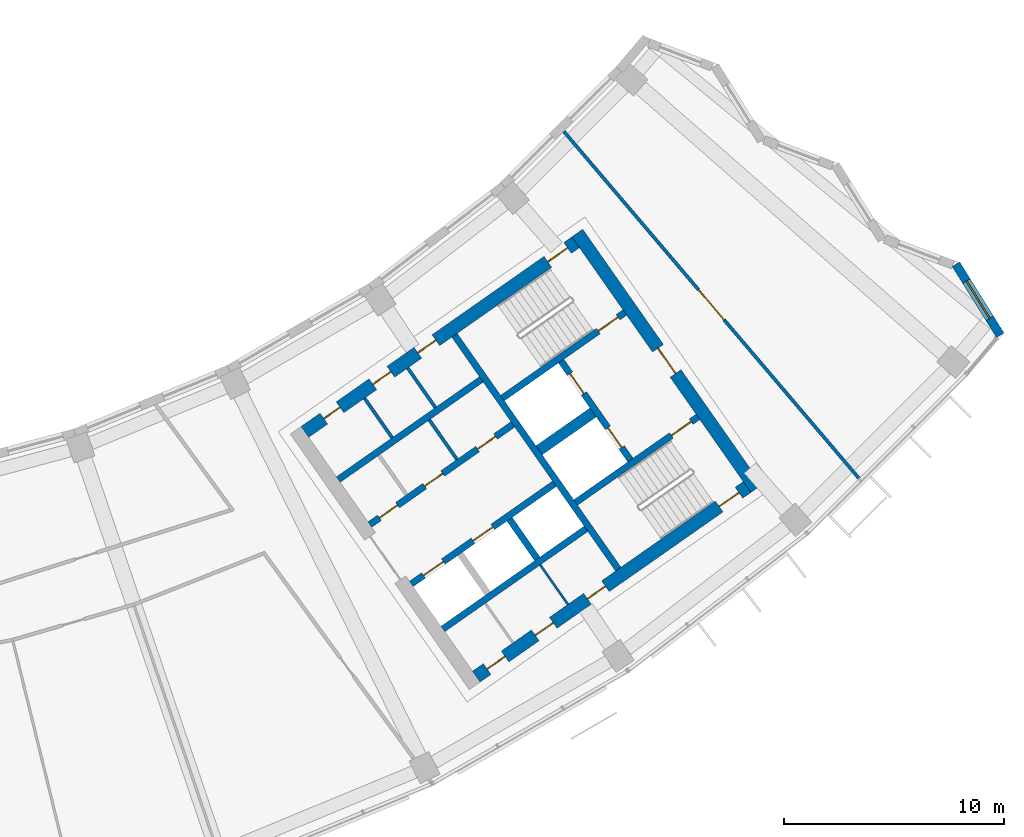
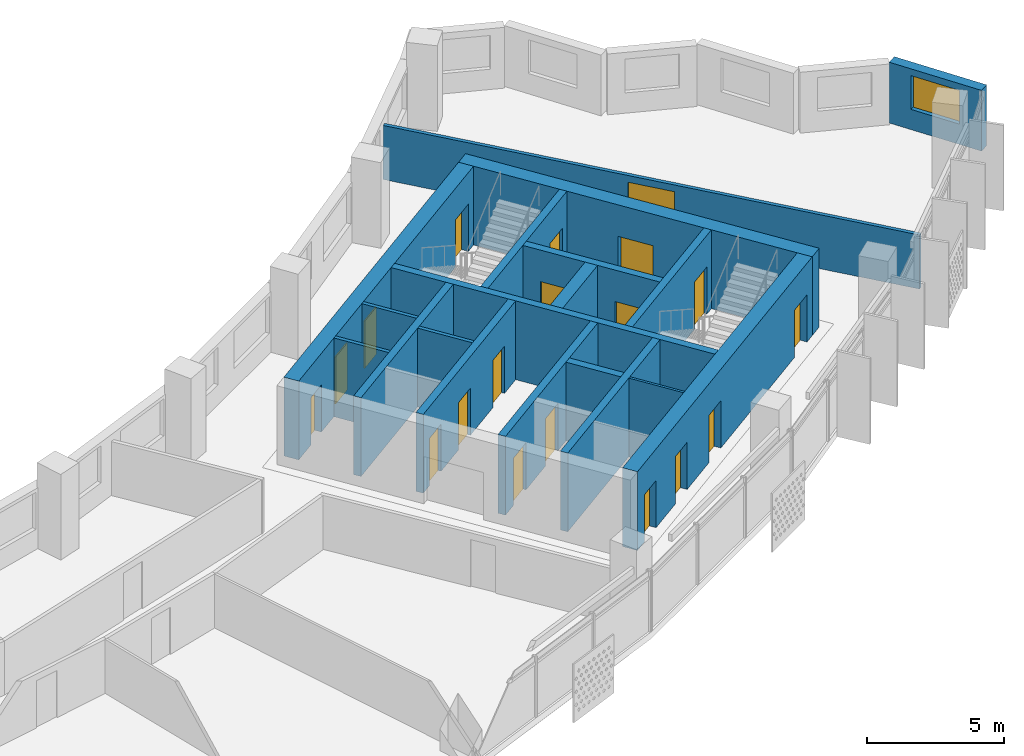
# One storey, part 7 of 27: 19 doors, 19 walls, 1 window, 20 openings.
"""IFC4 building model written with IfcOpenShell, lengths in metres."""

from ifc_helpers import new_model, si_unit, direction, frame, frame_2d, origin, place, context, subcontext, project, spatial, rectangle, extrude, material, layer, layer_set, type_object, element, fill, save


model = new_model("IFC4")

# Units and contexts
model_context = context("Model", 3, precision=1e-05, world=origin(), true_north=direction((0.0, 1.0)))
body_context = subcontext(model_context, "Body", "Model", "MODEL_VIEW")
ifc_project = project(units=[si_unit("LENGTHUNIT", "METRE"), si_unit("AREAUNIT", "SQUARE_METRE"), si_unit("VOLUMEUNIT", "CUBIC_METRE"), si_unit("PLANEANGLEUNIT", "RADIAN"), si_unit("MASSUNIT", "GRAM", prefix="KILO")], contexts=[model_context])

# Site, building, storey
site_placement = place(None, origin())
site = spatial("IfcSite", under=ifc_project, at=site_placement, CompositionType="ELEMENT")
building_placement = place(site_placement, origin())
building = spatial("IfcBuilding", under=site, at=building_placement, Name="Qamariyya Broadcast Tower", CompositionType="ELEMENT")
storey_placement = place(building_placement, frame((0.0, 0.0, 222.699951171875)))
storey = spatial("IfcBuildingStorey", under=building, at=storey_placement, Name="L53", CompositionType="ELEMENT", Elevation=222.699951171875)

# Wall, opening, door
ifc_material_1 = material(Name="Concrete C60/75", Category="concrete")
ifc_layer_1 = layer(ifc_material_1, 0.60009765625)
ifc_layer_set_1 = layer_set([ifc_layer_1], Name="Core wall 600 mm Concrete C60/75")
wall_type_1 = type_object("IfcWallType", Name="Core wall 600 mm Concrete C60/75", PredefinedType="SHEAR", material=ifc_layer_set_1)
wall_1_placement = place(storey_placement, frame((49.4833984375, -57.031494140625, 0.0), z_axis=(0.0, 0.0, 1.0), x_axis=(-0.573560421458, 0.819163257805, 0.0)))
wall_1 = element("IfcWall", 1, at=wall_1_placement, inside=storey, type_object=wall_type_1, Name="k-E-L53-WH", PredefinedType="SHEAR", context=body_context, shape_type="SweptSolid", body=[
    extrude(rectangle(XDim=14.199951171875, YDim=0.60009765625, at=frame_2d((7.10009765625, 0.0))), origin(), (0.0, 0.0, 1.0), 3.5),
])
opening_1_placement = place(wall_1_placement, frame((6.39990234375, 0.0, 0.0)))
opening_1 = element("IfcOpeningElement", 2, at=opening_1_placement, cuts=wall_1, Name="Opening KD2-E1", PredefinedType="OPENING", context=body_context, shape_type="SweptSolid", body=[
    extrude(rectangle(XDim=1.39990234375, YDim=2.10009765625, at=frame_2d((0.699951171875, 1.050048828125))), frame((0.0, 0.31005859375, 0.0), z_axis=(0.0, -1.0, 0.0), x_axis=(1.0, 0.0, 0.0)), (0.0, 0.0, 1.0), 0.6201171875),
])
ifc_material_2 = material(Name="Steel fire-resisting door leaf", Category="steel")
door_type_1 = type_object("IfcDoorType", Name="Fire-fighting lobby door KD2", OperationType="DOUBLE_DOOR_SINGLE_SWING", PredefinedType="DOOR", material=ifc_material_2)
door_1_placement = place(opening_1_placement, origin())
door_1 = element("IfcDoor", 3, at=door_1_placement, inside=storey, type_object=door_type_1, Name="k-E-L53-WH-D15", OperationType="DOUBLE_DOOR_SINGLE_SWING", OverallHeight=2.10009765625, OverallWidth=1.39990234375, PredefinedType="DOOR", context=body_context, shape_type="SweptSolid", body=[
    extrude(rectangle(XDim=1.39990234375, YDim=2.10009765625, at=frame_2d((0.699951171875, 1.050048828125))), frame((0.0, 0.02490234375, 0.0), z_axis=(0.0, -1.0, 0.0), x_axis=(1.0, 0.0, 0.0)), (0.0, 0.0, 1.0), 0.050048828125),
])
fill(opening_1, door_1)

# Wall, openings, doors
wall_2_placement = place(storey_placement, frame((28.940673828125, -54.447021484375, 0.0), z_axis=(0.0, 0.0, 1.0), x_axis=(0.819153391756, 0.573574511963, 0.0)))
wall_2 = element("IfcWall", 4, at=wall_2_placement, inside=storey, type_object=wall_type_1, Name="k-E-L53-WI", PredefinedType="SHEAR", context=body_context, shape_type="SweptSolid", body=[
    extrude(rectangle(XDim=15.04541015625, YDim=0.60009765625, at=frame_2d((7.522705078125, 0.0))), origin(), (0.0, 0.0, 1.0), 3.5),
])
opening_2_placement = place(wall_2_placement, frame((1.050048828125, 0.0, 0.0)))
opening_2 = element("IfcOpeningElement", 5, at=opening_2_placement, cuts=wall_2, Name="Opening KD5-E1", PredefinedType="OPENING", context=body_context, shape_type="SweptSolid", body=[
    extrude(rectangle(XDim=0.89990234375, YDim=2.10009765625, at=frame_2d((0.449951171875, 1.050048828125))), frame((0.0, 0.31005859375, 0.0), z_axis=(0.0, -1.0, 0.0), x_axis=(1.0, 0.0, 0.0)), (0.0, 0.0, 1.0), 0.6201171875),
])
opening_3_placement = place(wall_2_placement, frame((3.77490234375, 0.0, 0.0)))
opening_3 = element("IfcOpeningElement", 6, at=opening_3_placement, cuts=wall_2, Name="Opening KD7-E1", PredefinedType="OPENING", context=body_context, shape_type="SweptSolid", body=[
    extrude(rectangle(XDim=1.0, YDim=2.10009765625, at=frame_2d((0.5, 1.050048828125))), frame((0.0, 0.31005859375, 0.0), z_axis=(0.0, -1.0, 0.0), x_axis=(1.0, 0.0, 0.0)), (0.0, 0.0, 1.0), 0.6201171875),
])
opening_4_placement = place(wall_2_placement, frame((6.27490234375, 0.0, 0.0)))
opening_4 = element("IfcOpeningElement", 7, at=opening_4_placement, cuts=wall_2, Name="Opening KD6-E3", PredefinedType="OPENING", context=body_context, shape_type="SweptSolid", body=[
    extrude(rectangle(XDim=1.0, YDim=2.10009765625, at=frame_2d((0.5, 1.050048828125))), frame((0.0, 0.31005859375, 0.0), z_axis=(0.0, -1.0, 0.0), x_axis=(1.0, 0.0, 0.0)), (0.0, 0.0, 1.0), 0.6201171875),
])
opening_5_placement = place(wall_2_placement, frame((13.495361328125, 0.0, 0.0)))
opening_5 = element("IfcOpeningElement", 8, at=opening_5_placement, cuts=wall_2, Name="Opening KD1-E1", PredefinedType="OPENING", context=body_context, shape_type="SweptSolid", body=[
    extrude(rectangle(XDim=1.10009765625, YDim=2.10009765625, at=frame_2d((0.550048828125, 1.050048828125))), frame((0.0, 0.31005859375, 0.0), z_axis=(0.0, -1.0, 0.0), x_axis=(1.0, 0.0, 0.0)), (0.0, 0.0, 1.0), 0.6201171875),
])
door_type_2 = type_object("IfcDoorType", Name="Accessible toilet door KD7", OperationType="SINGLE_SWING_LEFT", PredefinedType="DOOR", material=ifc_material_2)
door_2_placement = place(opening_3_placement, origin())
door_2 = element("IfcDoor", 9, at=door_2_placement, inside=storey, type_object=door_type_2, Name="k-E-L53-WI-D8", OperationType="SINGLE_SWING_RIGHT", OverallHeight=2.10009765625, OverallWidth=1.0, PredefinedType="DOOR", context=body_context, shape_type="SweptSolid", body=[
    extrude(rectangle(XDim=1.0, YDim=2.10009765625, at=frame_2d((0.5, 1.050048828125))), frame((0.0, 0.02490234375, 0.0), z_axis=(0.0, -1.0, 0.0), x_axis=(1.0, 0.0, 0.0)), (0.0, 0.0, 1.0), 0.050048828125),
])
fill(opening_3, door_2)
door_type_3 = type_object("IfcDoorType", Name="Core room door KD6", OperationType="SINGLE_SWING_LEFT", PredefinedType="DOOR", material=ifc_material_2)
door_3_placement = place(opening_4_placement, origin())
door_3 = element("IfcDoor", 10, at=door_3_placement, inside=storey, type_object=door_type_3, Name="k-E-L53-WI-D9", OperationType="SINGLE_SWING_LEFT", OverallHeight=2.10009765625, OverallWidth=1.0, PredefinedType="DOOR", context=body_context, shape_type="SweptSolid", body=[
    extrude(rectangle(XDim=1.0, YDim=2.10009765625, at=frame_2d((0.5, 1.050048828125))), frame((0.0, 0.02490234375, 0.0), z_axis=(0.0, -1.0, 0.0), x_axis=(1.0, 0.0, 0.0)), (0.0, 0.0, 1.0), 0.050048828125),
])
fill(opening_4, door_3)
door_type_4 = type_object("IfcDoorType", Name="Stair door KD1", OperationType="SINGLE_SWING_LEFT", PredefinedType="DOOR", material=ifc_material_2)
door_4_placement = place(opening_5_placement, origin())
door_4 = element("IfcDoor", 11, at=door_4_placement, inside=storey, type_object=door_type_4, Name="k-E-L53-WI-D16", OperationType="SINGLE_SWING_RIGHT", OverallHeight=2.10009765625, OverallWidth=1.10009765625, PredefinedType="DOOR", context=body_context, shape_type="SweptSolid", body=[
    extrude(rectangle(XDim=1.10009765625, YDim=2.10009765625, at=frame_2d((0.550048828125, 1.050048828125))), frame((0.0, 0.02490234375, 0.0), z_axis=(0.0, -1.0, 0.0), x_axis=(1.0, 0.0, 0.0)), (0.0, 0.0, 1.0), 0.050048828125),
])
fill(opening_5, door_4)
door_type_5 = type_object("IfcDoorType", Name="Toilet door KD5", OperationType="SINGLE_SWING_LEFT", PredefinedType="DOOR", material=ifc_material_2)
door_5_placement = place(opening_2_placement, origin())
door_5 = element("IfcDoor", 12, at=door_5_placement, inside=storey, type_object=door_type_5, Name="k-E-L53-WI-D7", OperationType="SINGLE_SWING_LEFT", OverallHeight=2.10009765625, OverallWidth=0.89990234375, PredefinedType="DOOR", context=body_context, shape_type="SweptSolid", body=[
    extrude(rectangle(XDim=0.89990234375, YDim=2.10009765625, at=frame_2d((0.449951171875, 1.050048828125))), frame((0.0, 0.02490234375, 0.0), z_axis=(0.0, -1.0, 0.0), x_axis=(1.0, 0.0, 0.0)), (0.0, 0.0, 1.0), 0.050048828125),
])
fill(opening_2, door_5)

wall_3_placement = place(storey_placement, frame((36.7412109375, -65.58740234375, 0.0), z_axis=(0.0, 0.0, 1.0), x_axis=(0.819153391756, 0.573574511963, 0.0)))
wall_3 = element("IfcWall", 13, at=wall_3_placement, inside=storey, type_object=wall_type_1, Name="k-E-L53-WO", PredefinedType="SHEAR", context=body_context, shape_type="SweptSolid", body=[
    extrude(rectangle(XDim=15.04541015625, YDim=0.60009765625, at=frame_2d((7.522705078125, 0.0))), origin(), (0.0, 0.0, 1.0), 3.5),
])
opening_6_placement = place(wall_3_placement, frame((0.60009765625, 0.0, 0.0)))
opening_6 = element("IfcOpeningElement", 14, at=opening_6_placement, cuts=wall_3, Name="Opening KD4-E2", PredefinedType="OPENING", context=body_context, shape_type="SweptSolid", body=[
    extrude(rectangle(XDim=1.0, YDim=2.10009765625, at=frame_2d((0.5, 1.050048828125))), frame((0.0, 0.31005859375, 0.0), z_axis=(0.0, -1.0, 0.0), x_axis=(1.0, 0.0, 0.0)), (0.0, 0.0, 1.0), 0.6201171875),
])
opening_7_placement = place(wall_3_placement, frame((3.27490234375, 0.0, 0.0)))
opening_7 = element("IfcOpeningElement", 15, at=opening_7_placement, cuts=wall_3, Name="Opening KD4-E3", PredefinedType="OPENING", context=body_context, shape_type="SweptSolid", body=[
    extrude(rectangle(XDim=1.0, YDim=2.10009765625, at=frame_2d((0.5, 1.050048828125))), frame((0.0, 0.31005859375, 0.0), z_axis=(0.0, -1.0, 0.0), x_axis=(1.0, 0.0, 0.0)), (0.0, 0.0, 1.0), 0.6201171875),
])
opening_8_placement = place(wall_3_placement, frame((6.175048828125, 0.0, 0.0)))
opening_8 = element("IfcOpeningElement", 16, at=opening_8_placement, cuts=wall_3, Name="Opening KD4-E4", PredefinedType="OPENING", context=body_context, shape_type="SweptSolid", body=[
    extrude(rectangle(XDim=1.0, YDim=2.10009765625, at=frame_2d((0.5, 1.050048828125))), frame((0.0, 0.31005859375, 0.0), z_axis=(0.0, -1.0, 0.0), x_axis=(1.0, 0.0, 0.0)), (0.0, 0.0, 1.0), 0.6201171875),
])
opening_9_placement = place(wall_3_placement, frame((13.495361328125, 0.0, 0.0)))
opening_9 = element("IfcOpeningElement", 17, at=opening_9_placement, cuts=wall_3, Name="Opening KD1-E3", PredefinedType="OPENING", context=body_context, shape_type="SweptSolid", body=[
    extrude(rectangle(XDim=1.10009765625, YDim=2.10009765625, at=frame_2d((0.550048828125, 1.050048828125))), frame((0.0, 0.31005859375, 0.0), z_axis=(0.0, -1.0, 0.0), x_axis=(1.0, 0.0, 0.0)), (0.0, 0.0, 1.0), 0.6201171875),
])
door_type_6 = type_object("IfcDoorType", Name="Riser and plant door KD4", OperationType="SINGLE_SWING_LEFT", PredefinedType="DOOR", material=ifc_material_2)
door_6_placement = place(opening_6_placement, origin())
door_6 = element("IfcDoor", 18, at=door_6_placement, inside=storey, type_object=door_type_6, Name="k-E-L53-WO-D10", OperationType="SINGLE_SWING_RIGHT", OverallHeight=2.10009765625, OverallWidth=1.0, PredefinedType="DOOR", context=body_context, shape_type="SweptSolid", body=[
    extrude(rectangle(XDim=1.0, YDim=2.10009765625, at=frame_2d((0.5, 1.050048828125))), frame((0.0, 0.02490234375, 0.0), z_axis=(0.0, -1.0, 0.0), x_axis=(1.0, 0.0, 0.0)), (0.0, 0.0, 1.0), 0.050048828125),
])
fill(opening_6, door_6)
door_7_placement = place(opening_7_placement, origin())
door_7 = element("IfcDoor", 19, at=door_7_placement, inside=storey, type_object=door_type_6, Name="k-E-L53-WO-D11", OperationType="SINGLE_SWING_LEFT", OverallHeight=2.10009765625, OverallWidth=1.0, PredefinedType="DOOR", context=body_context, shape_type="SweptSolid", body=[
    extrude(rectangle(XDim=1.0, YDim=2.10009765625, at=frame_2d((0.5, 1.050048828125))), frame((0.0, 0.02490234375, 0.0), z_axis=(0.0, -1.0, 0.0), x_axis=(1.0, 0.0, 0.0)), (0.0, 0.0, 1.0), 0.050048828125),
])
fill(opening_7, door_7)
door_8_placement = place(opening_8_placement, origin())
door_8 = element("IfcDoor", 20, at=door_8_placement, inside=storey, type_object=door_type_6, Name="k-E-L53-WO-D12", OperationType="SINGLE_SWING_RIGHT", OverallHeight=2.10009765625, OverallWidth=1.0, PredefinedType="DOOR", context=body_context, shape_type="SweptSolid", body=[
    extrude(rectangle(XDim=1.0, YDim=2.10009765625, at=frame_2d((0.5, 1.050048828125))), frame((0.0, 0.02490234375, 0.0), z_axis=(0.0, -1.0, 0.0), x_axis=(1.0, 0.0, 0.0)), (0.0, 0.0, 1.0), 0.050048828125),
])
fill(opening_8, door_8)
door_9_placement = place(opening_9_placement, origin())
door_9 = element("IfcDoor", 21, at=door_9_placement, inside=storey, type_object=door_type_4, Name="k-E-L53-WO-D18", OperationType="SINGLE_SWING_LEFT", OverallHeight=2.10009765625, OverallWidth=1.10009765625, PredefinedType="DOOR", context=body_context, shape_type="SweptSolid", body=[
    extrude(rectangle(XDim=1.10009765625, YDim=2.10009765625, at=frame_2d((0.550048828125, 1.050048828125))), frame((0.0, 0.02490234375, 0.0), z_axis=(0.0, -1.0, 0.0), x_axis=(1.0, 0.0, 0.0)), (0.0, 0.0, 1.0), 0.050048828125),
])
fill(opening_9, door_9)

# Wall, opening, door
ifc_material_3 = material(Name="Gypsum board partition")
ifc_layer_2 = layer(ifc_material_3, 0.14990234375)
ifc_layer_set_2 = layer_set([ifc_layer_2], Name="Corridor partition 150 EI 60")
wall_type_2 = type_object("IfcWallType", Name="Corridor partition 150 EI 60", PredefinedType="PARTITIONING", material=ifc_layer_set_2)
wall_4_placement = place(storey_placement, frame((40.724853515625, -40.7705078125, 0.0), z_axis=(0.0, 0.0, 1.0), x_axis=(0.647962636986, -0.761672121762, 0.0)))
wall_4 = element("IfcWall", 22, at=wall_4_placement, inside=storey, type_object=wall_type_2, Name="Partition L53-032", PredefinedType="PARTITIONING", context=body_context, shape_type="SweptSolid", body=[
    extrude(rectangle(XDim=20.723388671875, YDim=0.14990234375, at=frame_2d((10.36181640625, 0.0))), origin(), (0.0, 0.0, 1.0), 2.400146484375),
])
opening_10_placement = place(wall_4_placement, frame((9.461669921875, 0.0, 0.0)))
opening_10 = element("IfcOpeningElement", 23, at=opening_10_placement, cuts=wall_4, Name="Opening L53-D16", PredefinedType="OPENING", context=body_context, shape_type="SweptSolid", body=[
    extrude(rectangle(XDim=1.800048828125, YDim=2.10009765625, at=frame_2d((0.89990234375, 1.050048828125))), frame((0.0, 0.0849609375, 0.0), z_axis=(0.0, -1.0, 0.0), x_axis=(1.0, 0.0, 0.0)), (0.0, 0.0, 1.0), 0.169921875),
])
ifc_material_4 = material(Name="Timber fire door leaf", Category="wood")
door_type_7 = type_object("IfcDoorType", Name="Double fire door 1800 x 2100 FD60", OperationType="NOTDEFINED", PredefinedType="DOOR", material=ifc_material_4)
door_10_placement = place(opening_10_placement, origin())
door_10 = element("IfcDoor", 24, at=door_10_placement, inside=storey, type_object=door_type_7, Name="Door L53-D16", OperationType="DOUBLE_DOOR_SINGLE_SWING", OverallHeight=2.10009765625, OverallWidth=1.800048828125, PredefinedType="DOOR", context=body_context, shape_type="SweptSolid", body=[
    extrude(rectangle(XDim=1.800048828125, YDim=2.10009765625, at=frame_2d((0.89990234375, 1.050048828125))), frame((0.0, 0.02490234375, 0.0), z_axis=(0.0, -1.0, 0.0), x_axis=(1.0, 0.0, 0.0)), (0.0, 0.0, 1.0), 0.050048828125),
])
fill(opening_10, door_10)

# Walls
ifc_layer_3 = layer(ifc_material_1, 0.5)
ifc_layer_set_3 = layer_set([ifc_layer_3], Name="Fire-fighting lobby divider wall 500 mm Concrete C60/75")
wall_type_3 = type_object("IfcWallType", Name="Fire-fighting lobby divider wall 500 mm Concrete C60/75", PredefinedType="SOLIDWALL", material=ifc_layer_set_3)
wall_5_placement = place(storey_placement, frame((39.59912109375, -55.28515625, 0.0), z_axis=(0.0, 0.0, 1.0), x_axis=(0.819136323161, 0.573598887793, 0.0)))
element("IfcWall", 25, at=wall_5_placement, inside=storey, type_object=wall_type_3, Name="k-E-L53-FD", PredefinedType="SOLIDWALL", context=body_context, shape_type="SweptSolid", body=[
    extrude(rectangle(XDim=2.999755859375, YDim=0.5, at=frame_2d((1.5, 0.0))), origin(), (0.0, 0.0, 1.0), 3.5),
])
ifc_material_5 = material(Name="Gypsum board partition on steel studs", Category="steel")
ifc_layer_4 = layer(ifc_material_5, 0.14990234375)
ifc_layer_set_4 = layer_set([ifc_layer_4], Name="Gypsum board partition 150 mm")
wall_type_4 = type_object("IfcWallType", Name="Gypsum board partition 150 mm", PredefinedType="PARTITIONING", material=ifc_layer_set_4)
wall_6_placement = place(storey_placement, frame((35.86328125, -55.70361328125, 0.0), z_axis=(0.0, 0.0, 1.0), x_axis=(-0.573507030513, 0.819200638399, 0.0)))
element("IfcWall", 26, at=wall_6_placement, inside=storey, type_object=wall_type_4, Name="k-E-L53-NC495", PredefinedType="PARTITIONING", context=body_context, shape_type="SweptSolid", body=[
    extrude(rectangle(XDim=2.199951171875, YDim=0.14990234375, at=frame_2d((1.10009765625, 0.0))), origin(), (0.0, 0.0, 1.0), 3.5),
])
wall_7_placement = place(storey_placement, frame((32.9140625, -54.716796875, 0.0), z_axis=(0.0, 0.0, 1.0), x_axis=(-0.573581496053, 0.819148501424, 0.0)))
element("IfcWall", 27, at=wall_7_placement, inside=storey, type_object=wall_type_4, Name="k-E-L53-NP310", PredefinedType="PARTITIONING", context=body_context, shape_type="SweptSolid", body=[
    extrude(rectangle(XDim=2.2001953125, YDim=0.14990234375, at=frame_2d((1.10009765625, 0.0))), origin(), (0.0, 0.0, 1.0), 3.5),
])
wall_8_placement = place(storey_placement, frame((34.8798828125, -53.340087890625, 0.0), z_axis=(0.0, 0.0, 1.0), x_axis=(-0.573559170999, 0.819164133348, 0.0)))
element("IfcWall", 28, at=wall_8_placement, inside=storey, type_object=wall_type_4, Name="k-E-L53-NP550", PredefinedType="PARTITIONING", context=body_context, shape_type="SweptSolid", body=[
    extrude(rectangle(XDim=2.19970703125, YDim=0.14990234375, at=frame_2d((1.099853515625, 0.0))), origin(), (0.0, 0.0, 1.0), 3.5),
])
ifc_layer_5 = layer(ifc_material_1, 0.300048828125)
ifc_layer_set_5 = layer_set([ifc_layer_5], Name="Lift shaft wall 300 mm Concrete C60/75")
wall_type_5 = type_object("IfcWallType", Name="Lift shaft wall 300 mm Concrete C60/75", PredefinedType="SOLIDWALL", material=ifc_layer_set_5)
wall_9_placement = place(storey_placement, frame((43.204345703125, -60.69580078125, 0.0), z_axis=(0.0, 0.0, 1.0), x_axis=(-0.573571992966, 0.819155155563, 0.0)))
element("IfcWall", 29, at=wall_9_placement, inside=storey, type_object=wall_type_5, Name="k-E-L53-WL", PredefinedType="SOLIDWALL", context=body_context, shape_type="SweptSolid", body=[
    extrude(rectangle(XDim=13.000244140625, YDim=0.300048828125, at=frame_2d((6.5, 0.0))), origin(), (0.0, 0.0, 1.0), 3.5),
])

# Wall, openings, doors
wall_10_placement = place(storey_placement, frame((31.89453125, -58.66552734375, 0.0), z_axis=(0.0, 0.0, 1.0), x_axis=(0.819166993208, 0.573555086491, 0.0)))
wall_10 = element("IfcWall", 30, at=wall_10_placement, inside=storey, type_object=wall_type_5, Name="k-E-L53-NF0", PredefinedType="SOLIDWALL", context=body_context, shape_type="SweptSolid", body=[
    extrude(rectangle(XDim=7.9501953125, YDim=0.300048828125, at=frame_2d((3.97509765625, 0.0))), origin(), (0.0, 0.0, 1.0), 3.5),
])
opening_11_placement = place(wall_10_placement, frame((0.53759765625, 0.0, 0.0)))
opening_11 = element("IfcOpeningElement", 31, at=opening_11_placement, cuts=wall_10, Name="Opening KD6-E1", PredefinedType="OPENING", context=body_context, shape_type="SweptSolid", body=[
    extrude(rectangle(XDim=1.0, YDim=2.10009765625, at=frame_2d((0.5, 1.050048828125))), frame((0.0, 0.159912109375, 0.0), z_axis=(0.0, -1.0, 0.0), x_axis=(1.0, 0.0, 0.0)), (0.0, 0.0, 1.0), 0.320068359375),
])
opening_12_placement = place(wall_10_placement, frame((3.050048828125, 0.0, 0.0)))
opening_12 = element("IfcOpeningElement", 32, at=opening_12_placement, cuts=wall_10, Name="Opening KD6-E2", PredefinedType="OPENING", context=body_context, shape_type="SweptSolid", body=[
    extrude(rectangle(XDim=1.0, YDim=2.10009765625, at=frame_2d((0.5, 1.050048828125))), frame((0.0, 0.159912109375, 0.0), z_axis=(0.0, -1.0, 0.0), x_axis=(1.0, 0.0, 0.0)), (0.0, 0.0, 1.0), 0.320068359375),
])
opening_13_placement = place(wall_10_placement, frame((5.987548828125, 0.0, 0.0)))
opening_13 = element("IfcOpeningElement", 33, at=opening_13_placement, cuts=wall_10, Name="Opening KD4-E1", PredefinedType="OPENING", context=body_context, shape_type="SweptSolid", body=[
    extrude(rectangle(XDim=1.0, YDim=2.10009765625, at=frame_2d((0.5, 1.050048828125))), frame((0.0, 0.159912109375, 0.0), z_axis=(0.0, -1.0, 0.0), x_axis=(1.0, 0.0, 0.0)), (0.0, 0.0, 1.0), 0.320068359375),
])
door_11_placement = place(opening_11_placement, origin())
door_11 = element("IfcDoor", 34, at=door_11_placement, inside=storey, type_object=door_type_3, Name="k-E-L53-NF0-D2", OperationType="SINGLE_SWING_RIGHT", OverallHeight=2.10009765625, OverallWidth=1.0, PredefinedType="DOOR", context=body_context, shape_type="SweptSolid", body=[
    extrude(rectangle(XDim=1.0, YDim=2.10009765625, at=frame_2d((0.5, 1.050048828125))), frame((0.0, 0.02490234375, 0.0), z_axis=(0.0, -1.0, 0.0), x_axis=(1.0, 0.0, 0.0)), (0.0, 0.0, 1.0), 0.050048828125),
])
fill(opening_11, door_11)
door_12_placement = place(opening_12_placement, origin())
door_12 = element("IfcDoor", 35, at=door_12_placement, inside=storey, type_object=door_type_3, Name="k-E-L53-NF0-D3", OperationType="SINGLE_SWING_LEFT", OverallHeight=2.10009765625, OverallWidth=1.0, PredefinedType="DOOR", context=body_context, shape_type="SweptSolid", body=[
    extrude(rectangle(XDim=1.0, YDim=2.10009765625, at=frame_2d((0.5, 1.050048828125))), frame((0.0, 0.02490234375, 0.0), z_axis=(0.0, -1.0, 0.0), x_axis=(1.0, 0.0, 0.0)), (0.0, 0.0, 1.0), 0.050048828125),
])
fill(opening_12, door_12)
door_13_placement = place(opening_13_placement, origin())
door_13 = element("IfcDoor", 36, at=door_13_placement, inside=storey, type_object=door_type_6, Name="k-E-L53-NF0-D4", OperationType="SINGLE_SWING_RIGHT", OverallHeight=2.10009765625, OverallWidth=1.0, PredefinedType="DOOR", context=body_context, shape_type="SweptSolid", body=[
    extrude(rectangle(XDim=1.0, YDim=2.10009765625, at=frame_2d((0.5, 1.050048828125))), frame((0.0, 0.02490234375, 0.0), z_axis=(0.0, -1.0, 0.0), x_axis=(1.0, 0.0, 0.0)), (0.0, 0.0, 1.0), 0.050048828125),
])
fill(opening_13, door_13)

# Wall
wall_11_placement = place(storey_placement, frame((30.460693359375, -56.61767578125, 0.0), z_axis=(0.0, 0.0, 1.0), x_axis=(0.819142461705, 0.573590121456, 0.0)))
element("IfcWall", 37, at=wall_11_placement, inside=storey, type_object=wall_type_5, Name="k-E-L53-NB0", PredefinedType="SOLIDWALL", context=body_context, shape_type="SweptSolid", body=[
    extrude(rectangle(XDim=7.949951171875, YDim=0.300048828125, at=frame_2d((3.97509765625, 0.0))), origin(), (0.0, 0.0, 1.0), 3.5),
])

# Wall, openings, doors
wall_12_placement = place(storey_placement, frame((33.787353515625, -61.368896484375, 0.0), z_axis=(0.0, 0.0, 1.0), x_axis=(0.819152564888, 0.573575692858, 0.0)))
wall_12 = element("IfcWall", 38, at=wall_12_placement, inside=storey, type_object=wall_type_5, Name="k-E-L53-SF0", PredefinedType="SOLIDWALL", context=body_context, shape_type="SweptSolid", body=[
    extrude(rectangle(XDim=7.9501953125, YDim=0.300048828125, at=frame_2d((3.97509765625, 0.0))), origin(), (0.0, 0.0, 1.0), 3.5),
])
opening_14_placement = place(wall_12_placement, frame((0.675048828125, 0.0, 0.0)))
opening_14 = element("IfcOpeningElement", 39, at=opening_14_placement, cuts=wall_12, Name="Opening LD", PredefinedType="OPENING", context=body_context, shape_type="SweptSolid", body=[
    extrude(rectangle(XDim=1.10009765625, YDim=2.10009765625, at=frame_2d((0.550048828125, 1.050048828125))), frame((0.0, 0.159912109375, 0.0), z_axis=(0.0, -1.0, 0.0), x_axis=(1.0, 0.0, 0.0)), (0.0, 0.0, 1.0), 0.320068359375),
])
opening_15_placement = place(wall_12_placement, frame((3.425048828125, 0.0, 0.0)))
opening_15 = element("IfcOpeningElement", 40, at=opening_15_placement, cuts=wall_12, Name="Opening LD", PredefinedType="OPENING", context=body_context, shape_type="SweptSolid", body=[
    extrude(rectangle(XDim=1.10009765625, YDim=2.10009765625, at=frame_2d((0.550048828125, 1.050048828125))), frame((0.0, 0.159912109375, 0.0), z_axis=(0.0, -1.0, 0.0), x_axis=(1.0, 0.0, 0.0)), (0.0, 0.0, 1.0), 0.320068359375),
])
door_type_8 = type_object("IfcDoorType", Name="Lift landing door LD", OperationType="DOUBLE_DOOR_SLIDING", PredefinedType="DOOR", material=ifc_material_2)
door_14_placement = place(opening_14_placement, origin())
door_14 = element("IfcDoor", 41, at=door_14_placement, inside=storey, type_object=door_type_8, Name="k-E-L53-SF0-D5", OperationType="DOUBLE_DOOR_SLIDING", OverallHeight=2.10009765625, OverallWidth=1.10009765625, PredefinedType="DOOR", context=body_context, shape_type="SweptSolid", body=[
    extrude(rectangle(XDim=1.10009765625, YDim=2.10009765625, at=frame_2d((0.550048828125, 1.050048828125))), frame((0.0, 0.02490234375, 0.0), z_axis=(0.0, -1.0, 0.0), x_axis=(1.0, 0.0, 0.0)), (0.0, 0.0, 1.0), 0.050048828125),
])
fill(opening_14, door_14)
door_15_placement = place(opening_15_placement, origin())
door_15 = element("IfcDoor", 42, at=door_15_placement, inside=storey, type_object=door_type_8, Name="k-E-L53-SF0-D6", OperationType="DOUBLE_DOOR_SLIDING", OverallHeight=2.10009765625, OverallWidth=1.10009765625, PredefinedType="DOOR", context=body_context, shape_type="SweptSolid", body=[
    extrude(rectangle(XDim=1.10009765625, YDim=2.10009765625, at=frame_2d((0.550048828125, 1.050048828125))), frame((0.0, 0.02490234375, 0.0), z_axis=(0.0, -1.0, 0.0), x_axis=(1.0, 0.0, 0.0)), (0.0, 0.0, 1.0), 0.050048828125),
])
fill(opening_15, door_15)

# Walls
wall_13_placement = place(storey_placement, frame((35.22119140625, -63.41650390625, 0.0), z_axis=(0.0, 0.0, 1.0), x_axis=(0.819166993208, 0.573555086491, 0.0)))
element("IfcWall", 43, at=wall_13_placement, inside=storey, type_object=wall_type_5, Name="k-E-L53-SB0", PredefinedType="SOLIDWALL", context=body_context, shape_type="SweptSolid", body=[
    extrude(rectangle(XDim=7.9501953125, YDim=0.300048828125, at=frame_2d((3.97509765625, 0.0))), origin(), (0.0, 0.0, 1.0), 3.5),
])
wall_14_placement = place(storey_placement, frame((38.255859375, -58.423095703125, 0.0), z_axis=(0.0, 0.0, 1.0), x_axis=(0.573633636671, -0.819111989218, 0.0)))
element("IfcWall", 44, at=wall_14_placement, inside=storey, type_object=wall_type_5, Name="k-E-L53-SD1", PredefinedType="SOLIDWALL", context=body_context, shape_type="SweptSolid", body=[
    extrude(rectangle(XDim=2.199951171875, YDim=0.300048828125, at=frame_2d((1.10009765625, 0.0))), origin(), (0.0, 0.0, 1.0), 3.5),
])

# Wall, opening, door
wall_15_placement = place(storey_placement, frame((37.935546875, -52.90966796875, 0.0), z_axis=(0.0, 0.0, 1.0), x_axis=(0.819147518138, 0.57358290031, 0.0)))
wall_15 = element("IfcWall", 45, at=wall_15_placement, inside=storey, type_object=wall_type_5, Name="k-E-L53-NW", PredefinedType="SOLIDWALL", context=body_context, shape_type="SweptSolid", body=[
    extrude(rectangle(XDim=6.79541015625, YDim=0.300048828125, at=frame_2d((3.397705078125, 0.0))), origin(), (0.0, 0.0, 1.0), 3.5),
])
opening_16_placement = place(wall_15_placement, frame((5.3203125, 0.0, 0.0)))
opening_16 = element("IfcOpeningElement", 46, at=opening_16_placement, cuts=wall_15, Name="Opening KD1-E2", PredefinedType="OPENING", context=body_context, shape_type="SweptSolid", body=[
    extrude(rectangle(XDim=1.10009765625, YDim=2.10009765625, at=frame_2d((0.550048828125, 1.050048828125))), frame((0.0, 0.159912109375, 0.0), z_axis=(0.0, -1.0, 0.0), x_axis=(1.0, 0.0, 0.0)), (0.0, 0.0, 1.0), 0.320068359375),
])
door_16_placement = place(opening_16_placement, origin())
door_16 = element("IfcDoor", 47, at=door_16_placement, inside=storey, type_object=door_type_4, Name="k-E-L53-NW-D17", OperationType="SINGLE_SWING_LEFT", OverallHeight=2.10009765625, OverallWidth=1.10009765625, PredefinedType="DOOR", context=body_context, shape_type="SweptSolid", body=[
    extrude(rectangle(XDim=1.10009765625, YDim=2.10009765625, at=frame_2d((0.550048828125, 1.050048828125))), frame((0.0, 0.02490234375, 0.0), z_axis=(0.0, -1.0, 0.0), x_axis=(1.0, 0.0, 0.0)), (0.0, 0.0, 1.0), 0.050048828125),
])
fill(opening_16, door_16)

wall_16_placement = place(storey_placement, frame((41.262451171875, -57.66064453125, 0.0), z_axis=(0.0, 0.0, 1.0), x_axis=(0.819164398642, 0.573558792102, 0.0)))
wall_16 = element("IfcWall", 48, at=wall_16_placement, inside=storey, type_object=wall_type_5, Name="k-E-L53-SW", PredefinedType="SOLIDWALL", context=body_context, shape_type="SweptSolid", body=[
    extrude(rectangle(XDim=6.795166015625, YDim=0.300048828125, at=frame_2d((3.3974609375, 0.0))), origin(), (0.0, 0.0, 1.0), 3.5),
])
opening_17_placement = place(wall_16_placement, frame((5.3203125, 0.0, 0.0)))
opening_17 = element("IfcOpeningElement", 49, at=opening_17_placement, cuts=wall_16, Name="Opening KD1-E4", PredefinedType="OPENING", context=body_context, shape_type="SweptSolid", body=[
    extrude(rectangle(XDim=1.10009765625, YDim=2.10009765625, at=frame_2d((0.550048828125, 1.050048828125))), frame((0.0, 0.159912109375, 0.0), z_axis=(0.0, -1.0, 0.0), x_axis=(1.0, 0.0, 0.0)), (0.0, 0.0, 1.0), 0.320068359375),
])
door_17_placement = place(opening_17_placement, origin())
door_17 = element("IfcDoor", 50, at=door_17_placement, inside=storey, type_object=door_type_4, Name="k-E-L53-SW-D19", OperationType="SINGLE_SWING_LEFT", OverallHeight=2.10009765625, OverallWidth=1.10009765625, PredefinedType="DOOR", context=body_context, shape_type="SweptSolid", body=[
    extrude(rectangle(XDim=1.10009765625, YDim=2.10009765625, at=frame_2d((0.550048828125, 1.050048828125))), frame((0.0, 0.02490234375, 0.0), z_axis=(0.0, -1.0, 0.0), x_axis=(1.0, 0.0, 0.0)), (0.0, 0.0, 1.0), 0.050048828125),
])
fill(opening_17, door_17)

# Wall, openings, doors
wall_17_placement = place(storey_placement, frame((43.756591796875, -55.731201171875, 0.0), z_axis=(0.0, 0.0, 1.0), x_axis=(-0.573536818435, 0.819179783625, 0.0)))
wall_17 = element("IfcWall", 51, at=wall_17_placement, inside=storey, type_object=wall_type_5, Name="k-E-L53-FF", PredefinedType="SOLIDWALL", context=body_context, shape_type="SweptSolid", body=[
    extrude(rectangle(XDim=5.500244140625, YDim=0.300048828125, at=frame_2d((2.75, 0.0))), origin(), (0.0, 0.0, 1.0), 3.5),
])
opening_18_placement = place(wall_17_placement, frame((0.699951171875, 0.0, 0.0)))
opening_18 = element("IfcOpeningElement", 52, at=opening_18_placement, cuts=wall_17, Name="Opening LD", PredefinedType="OPENING", context=body_context, shape_type="SweptSolid", body=[
    extrude(rectangle(XDim=1.10009765625, YDim=2.10009765625, at=frame_2d((0.550048828125, 1.050048828125))), frame((0.0, 0.159912109375, 0.0), z_axis=(0.0, -1.0, 0.0), x_axis=(1.0, 0.0, 0.0)), (0.0, 0.0, 1.0), 0.320068359375),
])
opening_19_placement = place(wall_17_placement, frame((3.699951171875, 0.0, 0.0)))
opening_19 = element("IfcOpeningElement", 53, at=opening_19_placement, cuts=wall_17, Name="Opening LD", PredefinedType="OPENING", context=body_context, shape_type="SweptSolid", body=[
    extrude(rectangle(XDim=1.10009765625, YDim=2.10009765625, at=frame_2d((0.550048828125, 1.050048828125))), frame((0.0, 0.159912109375, 0.0), z_axis=(0.0, -1.0, 0.0), x_axis=(1.0, 0.0, 0.0)), (0.0, 0.0, 1.0), 0.320068359375),
])
door_18_placement = place(opening_18_placement, origin())
door_18 = element("IfcDoor", 54, at=door_18_placement, inside=storey, type_object=door_type_8, Name="k-E-L53-FF-D13", OperationType="DOUBLE_DOOR_SLIDING", OverallHeight=2.10009765625, OverallWidth=1.10009765625, PredefinedType="DOOR", context=body_context, shape_type="SweptSolid", body=[
    extrude(rectangle(XDim=1.10009765625, YDim=2.10009765625, at=frame_2d((0.550048828125, 1.050048828125))), frame((0.0, 0.02490234375, 0.0), z_axis=(0.0, -1.0, 0.0), x_axis=(1.0, 0.0, 0.0)), (0.0, 0.0, 1.0), 0.050048828125),
])
fill(opening_18, door_18)
door_19_placement = place(opening_19_placement, origin())
door_19 = element("IfcDoor", 55, at=door_19_placement, inside=storey, type_object=door_type_8, Name="k-E-L53-FF-D14", OperationType="DOUBLE_DOOR_SLIDING", OverallHeight=2.10009765625, OverallWidth=1.10009765625, PredefinedType="DOOR", context=body_context, shape_type="SweptSolid", body=[
    extrude(rectangle(XDim=1.10009765625, YDim=2.10009765625, at=frame_2d((0.550048828125, 1.050048828125))), frame((0.0, 0.02490234375, 0.0), z_axis=(0.0, -1.0, 0.0), x_axis=(1.0, 0.0, 0.0)), (0.0, 0.0, 1.0), 0.050048828125),
])
fill(opening_19, door_19)

# Wall
ifc_material_6 = material(Name="Fire-rated gypsum shaft liner on steel studs", Category="steel")
ifc_layer_6 = layer(ifc_material_6, 0.10009765625)
ifc_layer_set_6 = layer_set([ifc_layer_6], Name="Riser wall 100 mm")
wall_type_6 = type_object("IfcWallType", Name="Riser wall 100 mm", PredefinedType="PLUMBINGWALL", material=ifc_layer_set_6)
wall_18_placement = place(storey_placement, frame((39.64892578125, -60.49951171875, 0.0), z_axis=(0.0, 0.0, 1.0), x_axis=(0.573507030513, -0.819200638399, 0.0)))
element("IfcWall", 56, at=wall_18_placement, inside=storey, type_object=wall_type_6, Name="k-E-L53-SP530", PredefinedType="PLUMBINGWALL", context=body_context, shape_type="SweptSolid", body=[
    extrude(rectangle(XDim=2.199951171875, YDim=0.10009765625, at=frame_2d((1.10009765625, 0.0))), origin(), (0.0, 0.0, 1.0), 3.5),
])

# Wall, opening, window
ifc_material_7 = material(Name="Terracotta", Category="masonry")
ifc_layer_7 = layer(ifc_material_7, 0.39990234375)
ifc_layer_set_7 = layer_set([ifc_layer_7], Name="Terracotta clad wall 400")
wall_type_7 = type_object("IfcWallType", Name="Terracotta clad wall 400", PredefinedType="SOLIDWALL", material=ifc_layer_set_7)
wall_19_placement = place(storey_placement, frame((60.590087890625, -50.046630859375, 0.0), z_axis=(0.0, 0.0, 1.0), x_axis=(-0.529209344471, 0.848491290306, 0.0)))
wall_19 = element("IfcWall", 57, at=wall_19_placement, inside=storey, type_object=wall_type_7, Name="e-wl-L53-capE0", PredefinedType="SOLIDWALL", context=body_context, shape_type="SweptSolid", body=[
    extrude(rectangle(XDim=3.808837890625, YDim=0.39990234375, at=frame_2d((1.904296875, 0.0))), origin(), (0.0, 0.0, 1.0), 2.699951171875),
])
opening_20_placement = place(wall_19_placement, frame((0.904296875, 0.0, 0.89990234375)))
opening_20 = element("IfcOpeningElement", 58, at=opening_20_placement, cuts=wall_19, Name="Opening W4", PredefinedType="OPENING", context=body_context, shape_type="SweptSolid", body=[
    extrude(rectangle(XDim=2.0, YDim=1.5, at=frame_2d((1.0, 0.75))), frame((0.0, 0.2099609375, 0.0), z_axis=(0.0, -1.0, 0.0), x_axis=(1.0, 0.0, 0.0)), (0.0, 0.0, 1.0), 0.419921875),
])
ifc_material_8 = material(Name="Clear low-e double glazed unit in aluminium frame", Category="aluminium")
window_type = type_object("IfcWindowType", Name="Horn bay window 2000 x 1500", PartitioningType="SINGLE_PANEL", PredefinedType="WINDOW", material=ifc_material_8)
window_placement = place(opening_20_placement, origin())
window = element("IfcWindow", 59, at=window_placement, inside=storey, type_object=window_type, Name="e-w-L53-capE0", OverallHeight=1.5, OverallWidth=2.0, PartitioningType="SINGLE_PANEL", PredefinedType="WINDOW", context=body_context, shape_type="SweptSolid", body=[
    extrude(rectangle(XDim=2.0, YDim=1.5, at=frame_2d((1.0, 0.75))), frame((0.0, 0.030029296875, 0.0), z_axis=(0.0, -1.0, 0.0), x_axis=(1.0, 0.0, 0.0)), (0.0, 0.0, 1.0), 0.06005859375),
])
fill(opening_20, window)

save(model, "model.ifc")
